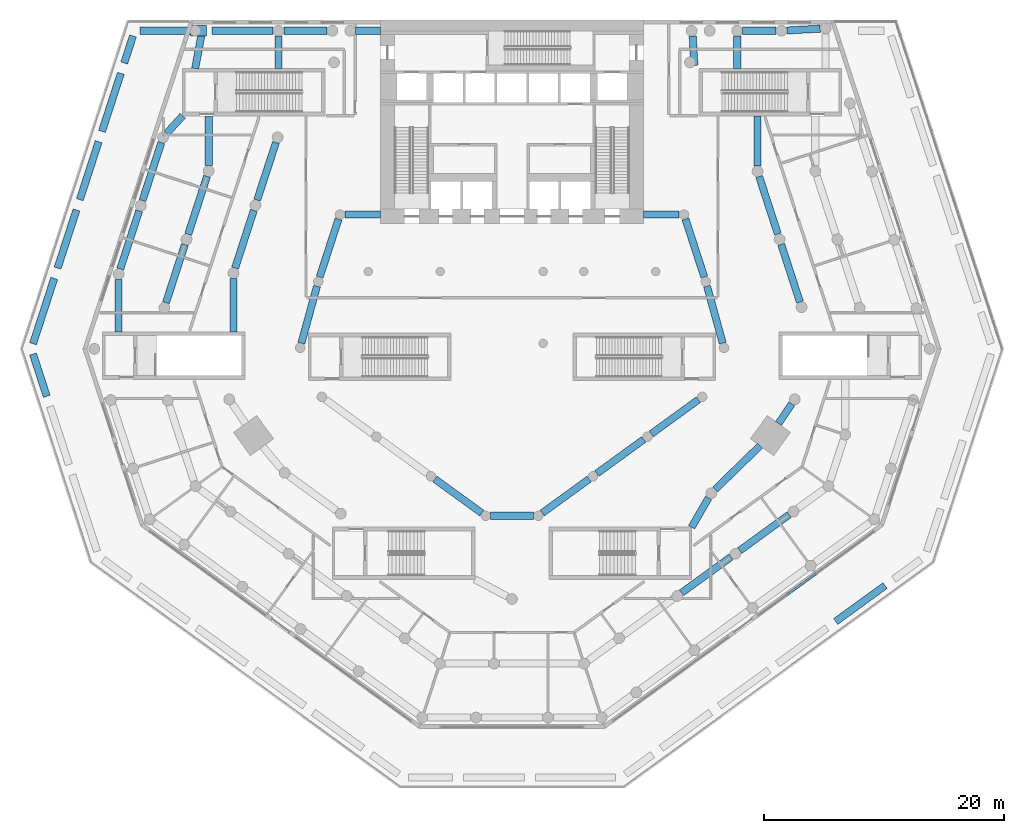
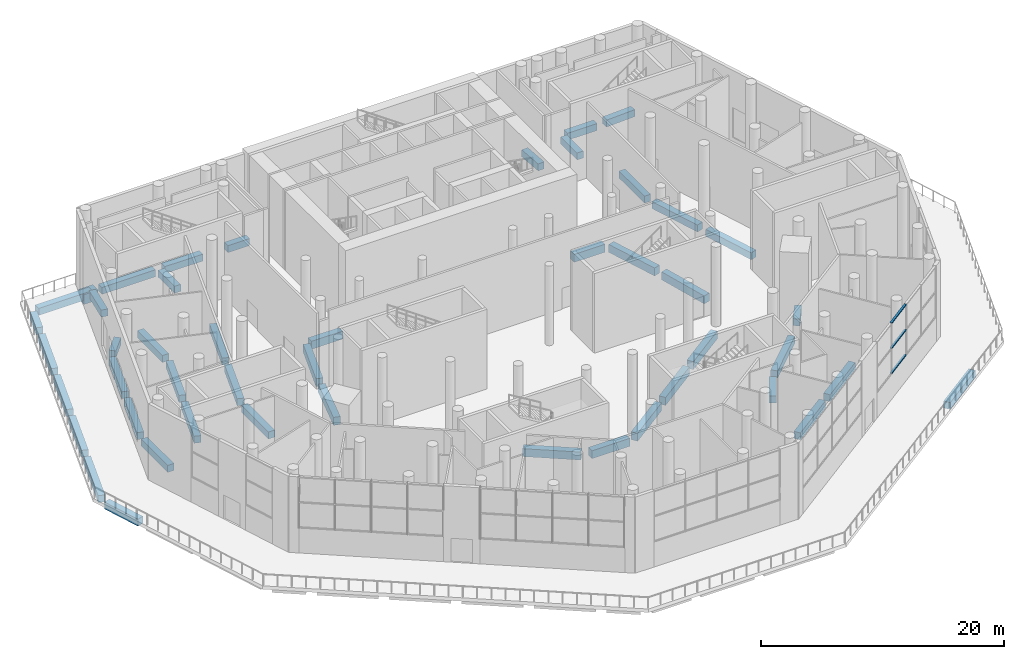
# One storey, part 7 of 23: 47 beams, 3 members, 1 element without a shape of its own.
"""IFC4 building model written with IfcOpenShell, lengths in metres."""

from ifc_helpers import new_model, si_unit, direction, frame, origin, origin_2d, place, context, subcontext, project, spatial, rectangle, extrude, material, material_profile, profile_set, type_object, element, aggregate, save


model = new_model("IFC4")

# Units and contexts
model_context = context("Model", 3, precision=1e-05, world=origin(), true_north=direction((0.0, 1.0)))
body_context = subcontext(model_context, "Body", "Model", "MODEL_VIEW")
ifc_project = project(units=[si_unit("LENGTHUNIT", "METRE"), si_unit("AREAUNIT", "SQUARE_METRE"), si_unit("VOLUMEUNIT", "CUBIC_METRE"), si_unit("PLANEANGLEUNIT", "RADIAN"), si_unit("MASSUNIT", "GRAM", prefix="KILO")], contexts=[model_context])

# Site, building, storey
site_placement = place(None, origin())
site = spatial("IfcSite", under=ifc_project, at=site_placement, CompositionType="ELEMENT")
building_placement = place(site_placement, origin())
building = spatial("IfcBuilding", under=site, at=building_placement, Name="White Candle Pilgrim Tower", CompositionType="ELEMENT")
storey_placement = place(building_placement, frame((0.0, 0.0, 15.0)))
storey = spatial("IfcBuildingStorey", under=building, at=storey_placement, Name="L02", CompositionType="ELEMENT", Elevation=15.0)

# Curtain wall, members
ifc_material_1 = material(Name="Aluminium and glass", Category="aluminium")
curtain_wall_type = type_object("IfcCurtainWallType", Name="Curtain wall CW2 prayer hall clerestory", PredefinedType="NOTDEFINED", material=ifc_material_1)
curtain_wall_placement = place(storey_placement, origin())
curtain_wall = element("IfcCurtainWall", 1, at=curtain_wall_placement, inside=storey, type_object=curtain_wall_type, Name="Curtain wall CW2 L02 SE", PredefinedType="NOTDEFINED")
ifc_material_2 = material(Name="Aluminium", Category="aluminium")
ifc_material_profile_1 = material_profile(ifc_material_2, rectangle(XDim=0.199951171875, YDim=0.10009765625, at=origin_2d()), Name="CW2 transom 100x200")
ifc_profile_set_1 = profile_set([ifc_material_profile_1], Name="Aluminium")
member_type = type_object("IfcMemberType", Name="CW2 transom 100x200", PredefinedType="USERDEFINED", material=ifc_profile_set_1)
member_1_placement = place(storey_placement, frame((92.9990234375, 40.04296875, 2.550048828125), z_axis=(0.808975796474, 0.587841952159, 0.0), x_axis=(-0.587841952159, 0.808975796474, 0.0)))
member_1 = element("IfcMember", 2, at=member_1_placement, type_object=member_type, Name="CW2 transom 2.1", ObjectType="TRANSOM", PredefinedType="USERDEFINED", context=body_context, shape_type="SweptSolid", body=[
    extrude(rectangle(XDim=0.199951171875, YDim=0.10009765625, at=origin_2d()), origin(), (0.0, 0.0, 1.0), 2.949951171875),
])
member_2_placement = place(storey_placement, frame((92.9990234375, 40.04296875, 5.074951171875), z_axis=(0.808975796474, 0.587841952159, 0.0), x_axis=(-0.587841952159, 0.808975796474, 0.0)))
member_2 = element("IfcMember", 3, at=member_2_placement, type_object=member_type, Name="CW2 transom 2.2", ObjectType="TRANSOM", PredefinedType="USERDEFINED", context=body_context, shape_type="SweptSolid", body=[
    extrude(rectangle(XDim=0.199951171875, YDim=0.10009765625, at=origin_2d()), origin(), (0.0, 0.0, 1.0), 2.949951171875),
])
member_3_placement = place(storey_placement, frame((92.9990234375, 40.04296875, 7.60009765625), z_axis=(0.808975796474, 0.587841952159, 0.0), x_axis=(-0.587841952159, 0.808975796474, 0.0)))
member_3 = element("IfcMember", 4, at=member_3_placement, type_object=member_type, Name="CW2 transom 2.3", ObjectType="TRANSOM", PredefinedType="USERDEFINED", context=body_context, shape_type="SweptSolid", body=[
    extrude(rectangle(XDim=0.199951171875, YDim=0.10009765625, at=origin_2d()), origin(), (0.0, 0.0, 1.0), 2.949951171875),
])
aggregate(curtain_wall, [member_1, member_2, member_3])

# Beams
ifc_material_3 = material(Name="Concrete C50/60", Category="concrete")
ifc_material_profile_2 = material_profile(ifc_material_3, rectangle(XDim=0.60009765625, YDim=0.800048828125, at=origin_2d()), Name="RC-BM 600x800")
ifc_profile_set_2 = profile_set([ifc_material_profile_2], Name="Concrete C50/60")
beam_type_1 = type_object("IfcBeamType", Name="Ring beam RC-BM 600x800 C50/60", PredefinedType="BEAM", material=ifc_profile_set_2)
beam_1_placement = place(storey_placement, frame((63.56396484375, 49.66552734375, -0.75), z_axis=(0.810124276712, -0.586258182273, 0.0), x_axis=(0.586258182273, 0.810124276712, 0.0)))
element("IfcBeam", 5, at=beam_1_placement, inside=storey, type_object=beam_type_1, Name="L02 ring beam R03", PredefinedType="BEAM", context=body_context, shape_type="SweptSolid", body=[
    extrude(rectangle(XDim=0.60009765625, YDim=0.800048828125, at=origin_2d()), origin(), (0.0, 0.0, 1.0), 4.8291015625),
])
beam_2_placement = place(storey_placement, frame((68.199951171875, 46.60009765625, -0.75), z_axis=(1.0, 0.0, 0.0), x_axis=(0.0, 1.0, 0.0)))
element("IfcBeam", 6, at=beam_2_placement, inside=storey, type_object=beam_type_1, Name="L02 ring beam R04", PredefinedType="BEAM", context=body_context, shape_type="SweptSolid", body=[
    extrude(rectangle(XDim=0.60009765625, YDim=0.800048828125, at=origin_2d()), origin(), (0.0, 0.0, 1.0), 3.60009765625),
])
beam_3_placement = place(storey_placement, frame((72.52392578125, 46.83447265625, -0.75), z_axis=(0.810124276712, 0.586258182273, 0.0), x_axis=(-0.586258182273, 0.810124276712, 0.0)))
element("IfcBeam", 7, at=beam_3_placement, inside=storey, type_object=beam_type_1, Name="L02 ring beam R05", PredefinedType="BEAM", context=body_context, shape_type="SweptSolid", body=[
    extrude(rectangle(XDim=0.60009765625, YDim=0.800048828125, at=origin_2d()), origin(), (0.0, 0.0, 1.0), 4.8291015625),
])
beam_4_placement = place(storey_placement, frame((77.08349609375, 50.135009765625, -0.75), z_axis=(0.809305595912, 0.587387821141, 0.0), x_axis=(-0.587387821141, 0.809305595912, 0.0)))
element("IfcBeam", 8, at=beam_4_placement, inside=storey, type_object=beam_type_1, Name="L02 ring beam R06", PredefinedType="BEAM", context=body_context, shape_type="SweptSolid", body=[
    extrude(rectangle(XDim=0.60009765625, YDim=0.800048828125, at=origin_2d()), origin(), (0.0, 0.0, 1.0), 4.835205078125),
])
beam_5_placement = place(storey_placement, frame((81.643310546875, 53.4453125, -0.75), z_axis=(0.808428473545, 0.588594430115, 0.0), x_axis=(-0.588594430115, 0.808428473545, 0.0)))
element("IfcBeam", 9, at=beam_5_placement, inside=storey, type_object=beam_type_1, Name="L02 ring beam R07", PredefinedType="BEAM", context=body_context, shape_type="SweptSolid", body=[
    extrude(rectangle(XDim=0.60009765625, YDim=0.800048828125, at=origin_2d()), origin(), (0.0, 0.0, 1.0), 4.841064453125),
])
beam_6_placement = place(storey_placement, frame((87.593994140625, 61.015625, -0.75), z_axis=(-0.265050703949, 0.964234475808, 0.0), x_axis=(-0.964234475808, -0.265050703949, 0.0)))
element("IfcBeam", 10, at=beam_6_placement, inside=storey, type_object=beam_type_1, Name="L02 ring beam R08", PredefinedType="BEAM", context=body_context, shape_type="SweptSolid", body=[
    extrude(rectangle(XDim=0.60009765625, YDim=0.800048828125, at=origin_2d()), origin(), (0.0, 0.0, 1.0), 4.935302734375),
])
beam_7_placement = place(storey_placement, frame((86.056396484375, 66.540283203125, -0.75), z_axis=(-0.30907956305, 0.951036184225, 0.0), x_axis=(-0.951036184225, -0.30907956305, 0.0)))
element("IfcBeam", 11, at=beam_7_placement, inside=storey, type_object=beam_type_1, Name="L02 ring beam R09", PredefinedType="BEAM", context=body_context, shape_type="SweptSolid", body=[
    extrude(rectangle(XDim=0.60009765625, YDim=0.800048828125, at=origin_2d()), origin(), (0.0, 0.0, 1.0), 5.088623046875),
])
for number, where, z_axis, x_axis, name in (
    (12, (83.9599609375, 71.760009765625, -0.75), (-1.0, 0.0, 0.0), (0.0, -1.0, 0.0), "L02 ring beam R10"),
    (13, (56.0400390625, 71.760009765625, -0.75), (1.0, 0.0, 0.0), (0.0, 1.0, 0.0), "L02 ring beam R11"),
):
    element("IfcBeam", number, at=place(storey_placement, frame(where, z_axis=z_axis, x_axis=x_axis)), inside=storey, type_object=beam_type_1, Name=name, PredefinedType="BEAM", context=body_context, shape_type="SweptSolid", body=[
        extrude(rectangle(XDim=0.60009765625, YDim=0.800048828125, at=origin_2d()), origin(), (0.0, 0.0, 1.0), 2.9599609375),
    ])
beam_8_placement = place(storey_placement, frame((55.516357421875, 71.379638671875, -0.75), z_axis=(-0.30907956305, -0.951036184225, 0.0), x_axis=(0.951036184225, -0.30907956305, 0.0)))
element("IfcBeam", 14, at=beam_8_placement, inside=storey, type_object=beam_type_1, Name="L02 ring beam R12", PredefinedType="BEAM", context=body_context, shape_type="SweptSolid", body=[
    extrude(rectangle(XDim=0.60009765625, YDim=0.800048828125, at=origin_2d()), origin(), (0.0, 0.0, 1.0), 5.088623046875),
])
beam_9_placement = place(storey_placement, frame((53.714599609375, 65.774169921875, -0.75), z_axis=(-0.263418939206, -0.964681534221, 0.0), x_axis=(0.964681534221, -0.263418939206, 0.0)))
element("IfcBeam", 15, at=beam_9_placement, inside=storey, type_object=beam_type_1, Name="L02 ring beam R13", PredefinedType="BEAM", context=body_context, shape_type="SweptSolid", body=[
    extrude(rectangle(XDim=0.60009765625, YDim=0.800048828125, at=origin_2d()), origin(), (0.0, 0.0, 1.0), 4.9326171875),
])
ifc_material_profile_3 = material_profile(ifc_material_3, rectangle(XDim=0.60009765625, YDim=0.699951171875, at=origin_2d()), Name="RC-BM 600x700")
ifc_profile_set_3 = profile_set([ifc_material_profile_3], Name="Concrete C50/60")
beam_type_2 = type_object("IfcBeamType", Name="Spandrel beam RC-BM 600x700 C50/60", PredefinedType="BEAM", material=ifc_profile_set_3)
beam_10_placement = place(storey_placement, frame((86.4150390625, 48.100341796875, -0.699951171875), z_axis=(-0.500073465784, -0.865982984139, 0.0), x_axis=(0.865982984139, -0.500073465784, 0.0)))
element("IfcBeam", 16, at=beam_10_placement, inside=storey, type_object=beam_type_2, Name="L02 spandrel beam T05", PredefinedType="BEAM", context=body_context, shape_type="SweptSolid", body=[
    extrude(rectangle(XDim=0.60009765625, YDim=0.699951171875, at=origin_2d()), origin(), (0.0, 0.0, 1.0), 2.82958984375),
])
beam_11_placement = place(storey_placement, frame((86.96240234375, 48.8037109375, -0.699951171875), z_axis=(0.716431871675, 0.697657059914, 0.0), x_axis=(-0.697657059914, 0.716431871675, 0.0)))
element("IfcBeam", 17, at=beam_11_placement, inside=storey, type_object=beam_type_2, Name="L02 spandrel beam T06", PredefinedType="BEAM", context=body_context, shape_type="SweptSolid", body=[
    extrude(rectangle(XDim=0.60009765625, YDim=0.699951171875, at=origin_2d()), origin(), (0.0, 0.0, 1.0), 5.2275390625),
])
beam_12_placement = place(storey_placement, frame((92.248291015625, 54.297607421875, -0.699951171875), z_axis=(0.556617573138, 0.830768847077, 0.0), x_axis=(-0.830768847077, 0.556617573138, 0.0)))
element("IfcBeam", 18, at=beam_12_placement, inside=storey, type_object=beam_type_2, Name="L02 spandrel beam T07", PredefinedType="BEAM", context=body_context, shape_type="SweptSolid", body=[
    extrude(rectangle(XDim=0.60009765625, YDim=0.699951171875, at=origin_2d()), origin(), (0.0, 0.0, 1.0), 1.99658203125),
])
for number, where, z_axis, x_axis, name in (
    (19, (94.041015625, 64.447998046875, -0.699951171875), (-0.308620298764, 0.951185319058, 0.0), (-0.951185319058, -0.308620298764, 0.0), "L02 spandrel beam T08"),
    (20, (92.201171875, 70.117919921875, -0.699951171875), (-0.308663940381, 0.951171158051, 0.0), (-0.951171158051, -0.308663940381, 0.0), "L02 spandrel beam T09"),
):
    element("IfcBeam", number, at=place(storey_placement, frame(where, z_axis=z_axis, x_axis=x_axis)), inside=storey, type_object=beam_type_2, Name=name, PredefinedType="BEAM", context=body_context, shape_type="SweptSolid", body=[
        extrude(rectangle(XDim=0.60009765625, YDim=0.699951171875, at=origin_2d()), origin(), (0.0, 0.0, 1.0), 5.061279296875),
    ])
beam_13_placement = place(storey_placement, frame((90.5, 75.81005859375, -0.699951171875), z_axis=(0.0, 1.0, 0.0), x_axis=(-1.0, 0.0, 0.0)))
element("IfcBeam", 21, at=beam_13_placement, inside=storey, type_object=beam_type_2, Name="L02 spandrel beam T10", PredefinedType="BEAM", context=body_context, shape_type="SweptSolid", body=[
    extrude(rectangle(XDim=0.60009765625, YDim=0.699951171875, at=origin_2d()), origin(), (0.0, 0.0, 1.0), 4.18994140625),
])
beam_14_placement = place(storey_placement, frame((50.29052734375, 77.772216796875, -0.699951171875), z_axis=(-0.310219521213, -0.950664950789, 0.0), x_axis=(0.950664950789, -0.310219521213, 0.0)))
element("IfcBeam", 22, at=beam_14_placement, inside=storey, type_object=beam_type_2, Name="L02 spandrel beam T11", PredefinedType="BEAM", context=body_context, shape_type="SweptSolid", body=[
    extrude(rectangle(XDim=0.60009765625, YDim=0.699951171875, at=origin_2d()), origin(), (0.0, 0.0, 1.0), 5.064208984375),
])
beam_15_placement = place(storey_placement, frame((48.441162109375, 72.10205078125, -0.699951171875), z_axis=(-0.308663940381, -0.951171158051, 0.0), x_axis=(0.951171158051, -0.308663940381, 0.0)))
element("IfcBeam", 23, at=beam_15_placement, inside=storey, type_object=beam_type_2, Name="L02 spandrel beam T12", PredefinedType="BEAM", context=body_context, shape_type="SweptSolid", body=[
    extrude(rectangle(XDim=0.60009765625, YDim=0.699951171875, at=origin_2d()), origin(), (0.0, 0.0, 1.0), 5.061279296875),
])
beam_16_placement = place(storey_placement, frame((46.739990234375, 66.409912109375, -0.699951171875), z_axis=(0.0, -1.0, 0.0), x_axis=(1.0, 0.0, 0.0)))
element("IfcBeam", 24, at=beam_16_placement, inside=storey, type_object=beam_type_2, Name="L02 spandrel beam T13", PredefinedType="BEAM", context=body_context, shape_type="SweptSolid", body=[
    extrude(rectangle(XDim=0.60009765625, YDim=0.699951171875, at=origin_2d()), origin(), (0.0, 0.0, 1.0), 4.4599609375),
])
beam_17_placement = place(storey_placement, frame((30.0048828125, 60.111083984375, -0.699951171875), z_axis=(0.30913367371, -0.951018596968, 0.0), x_axis=(0.951018596968, 0.30913367371, 0.0)))
element("IfcBeam", 25, at=beam_17_placement, inside=storey, type_object=beam_type_2, Name="L02 spandrel beam A01", PredefinedType="BEAM", context=body_context, shape_type="SweptSolid", body=[
    extrude(rectangle(XDim=0.60009765625, YDim=0.699951171875, at=origin_2d()), origin(), (0.0, 0.0, 1.0), 3.711181640625),
])
beam_18_placement = place(storey_placement, frame((97.02490234375, 37.7763671875, -0.699951171875), z_axis=(0.808978190317, 0.587838657789, 0.0), x_axis=(-0.587838657789, 0.808978190317, 0.0)))
element("IfcBeam", 26, at=beam_18_placement, inside=storey, type_object=beam_type_2, Name="L02 spandrel beam A17", PredefinedType="BEAM", context=body_context, shape_type="SweptSolid", body=[
    extrude(rectangle(XDim=0.60009765625, YDim=0.699951171875, at=origin_2d()), origin(), (0.0, 0.0, 1.0), 5.1005859375),
])
beam_19_placement = place(storey_placement, frame((38.35693359375, 86.672119140625, -0.699951171875), z_axis=(-0.30881036508, -0.951123629408, 0.0), x_axis=(0.951123629408, -0.30881036508, 0.0)))
element("IfcBeam", 27, at=beam_19_placement, inside=storey, type_object=beam_type_2, Name="L02 spandrel beam A27", PredefinedType="BEAM", context=body_context, shape_type="SweptSolid", body=[
    extrude(rectangle(XDim=0.60009765625, YDim=0.699951171875, at=origin_2d()), origin(), (0.0, 0.0, 1.0), 2.3828125),
])
beam_20_placement = place(storey_placement, frame((37.343017578125, 83.55029296875, -0.699951171875), z_axis=(-0.30893888911, -0.951081890688, 0.0), x_axis=(0.951081890688, -0.30893888911, 0.0)))
element("IfcBeam", 28, at=beam_20_placement, inside=storey, type_object=beam_type_2, Name="L02 spandrel beam A28", PredefinedType="BEAM", context=body_context, shape_type="SweptSolid", body=[
    extrude(rectangle(XDim=0.60009765625, YDim=0.699951171875, at=origin_2d()), origin(), (0.0, 0.0, 1.0), 5.10107421875),
])
for number, where, z_axis, x_axis, name in (
    (29, (35.489013671875, 77.84326171875, -0.699951171875), (-0.309009217467, -0.951059043131, 0.0), (0.951059043131, -0.309009217467, 0.0), "L02 spandrel beam A29"),
    (30, (33.635009765625, 72.13720703125, -0.699951171875), (-0.309009217467, -0.951059043131, 0.0), (0.951059043131, -0.309009217467, 0.0), "L02 spandrel beam A30"),
):
    element("IfcBeam", number, at=place(storey_placement, frame(where, z_axis=z_axis, x_axis=x_axis)), inside=storey, type_object=beam_type_2, Name=name, PredefinedType="BEAM", context=body_context, shape_type="SweptSolid", body=[
        extrude(rectangle(XDim=0.60009765625, YDim=0.699951171875, at=origin_2d()), origin(), (0.0, 0.0, 1.0), 5.099853515625),
    ])
beam_21_placement = place(storey_placement, frame((31.781005859375, 66.43115234375, -0.699951171875), z_axis=(-0.309118738716, -0.951023451538, 0.0), x_axis=(0.951023451538, -0.309118738716, 0.0)))
element("IfcBeam", 31, at=beam_21_placement, inside=storey, type_object=beam_type_2, Name="L02 spandrel beam A31", PredefinedType="BEAM", context=body_context, shape_type="SweptSolid", body=[
    extrude(rectangle(XDim=0.60009765625, YDim=0.699951171875, at=origin_2d()), origin(), (0.0, 0.0, 1.0), 5.745849609375),
])
beam_22_placement = place(storey_placement, frame((44.096435546875, 86.90087890625, -0.699951171875), z_axis=(-0.184028302975, -0.982920944789, 0.0), x_axis=(0.982920944789, -0.184028302975, 0.0)))
element("IfcBeam", 32, at=beam_22_placement, inside=storey, type_object=beam_type_2, Name="L02 spandrel beam B23", PredefinedType="BEAM", context=body_context, shape_type="SweptSolid", body=[
    extrude(rectangle(XDim=0.60009765625, YDim=0.699951171875, at=origin_2d()), origin(), (0.0, 0.0, 1.0), 3.002197265625),
])
beam_23_placement = place(storey_placement, frame((41.16455078125, 78.53173828125, -0.699951171875), z_axis=(0.67285645111, 0.739773070745, 0.0), x_axis=(-0.739773070745, 0.67285645111, 0.0)))
element("IfcBeam", 33, at=beam_23_placement, inside=storey, type_object=beam_type_2, Name="L02 spandrel beam B24", PredefinedType="BEAM", context=body_context, shape_type="SweptSolid", body=[
    extrude(rectangle(XDim=0.60009765625, YDim=0.699951171875, at=origin_2d()), origin(), (0.0, 0.0, 1.0), 1.98486328125),
])
beam_24_placement = place(storey_placement, frame((40.722900390625, 77.771240234375, -0.699951171875), z_axis=(-0.309009217467, -0.951059043131, 0.0), x_axis=(0.951059043131, -0.309009217467, 0.0)))
element("IfcBeam", 34, at=beam_24_placement, inside=storey, type_object=beam_type_2, Name="L02 spandrel beam B25", PredefinedType="BEAM", context=body_context, shape_type="SweptSolid", body=[
    extrude(rectangle(XDim=0.60009765625, YDim=0.699951171875, at=origin_2d()), origin(), (0.0, 0.0, 1.0), 5.099853515625),
])
beam_25_placement = place(storey_placement, frame((38.868896484375, 72.065185546875, -0.699951171875), z_axis=(-0.30918240299, -0.951002755875, 0.0), x_axis=(0.951002755875, -0.30918240299, 0.0)))
element("IfcBeam", 35, at=beam_25_placement, inside=storey, type_object=beam_type_2, Name="L02 spandrel beam B26", PredefinedType="BEAM", context=body_context, shape_type="SweptSolid", body=[
    extrude(rectangle(XDim=0.60009765625, YDim=0.699951171875, at=origin_2d()), origin(), (0.0, 0.0, 1.0), 5.100341796875),
])
beam_26_placement = place(storey_placement, frame((37.153076171875, 66.3369140625, -0.699951171875), z_axis=(0.0, -1.0, 0.0), x_axis=(1.0, 0.0, 0.0)))
element("IfcBeam", 36, at=beam_26_placement, inside=storey, type_object=beam_type_2, Name="L02 spandrel beam B27", PredefinedType="BEAM", context=body_context, shape_type="SweptSolid", body=[
    extrude(rectangle(XDim=0.60009765625, YDim=0.699951171875, at=origin_2d()), origin(), (0.0, 0.0, 1.0), 4.386962890625),
])
beam_27_placement = place(storey_placement, frame((84.159912109375, 40.17236328125, -0.699951171875), z_axis=(0.809069240735, 0.587713334625, 0.0), x_axis=(-0.587713334625, 0.809069240735, 0.0)))
element("IfcBeam", 37, at=beam_27_placement, inside=storey, type_object=beam_type_2, Name="L02 spandrel beam C11", PredefinedType="BEAM", context=body_context, shape_type="SweptSolid", body=[
    extrude(rectangle(XDim=0.60009765625, YDim=0.699951171875, at=origin_2d()), origin(), (0.0, 0.0, 1.0), 5.099853515625),
])
beam_28_placement = place(storey_placement, frame((89.013916015625, 43.698486328125, -0.699951171875), z_axis=(0.80900095282, 0.587807330965, 0.0), x_axis=(-0.587807330965, 0.80900095282, 0.0)))
element("IfcBeam", 38, at=beam_28_placement, inside=storey, type_object=beam_type_2, Name="L02 spandrel beam C12", PredefinedType="BEAM", context=body_context, shape_type="SweptSolid", body=[
    extrude(rectangle(XDim=0.60009765625, YDim=0.699951171875, at=origin_2d()), origin(), (0.0, 0.0, 1.0), 5.100341796875),
])
for number, where, z_axis, x_axis, name in (
    (39, (88.800048828125, 86.64990234375, -0.699951171875), (0.0, -1.0, 0.0), (1.0, 0.0, 0.0), "L02 spandrel beam C19"),
    (40, (50.5, 86.64990234375, -0.699951171875), (0.0, -1.0, 0.0), (1.0, 0.0, 0.0), "L02 spandrel beam C20"),
):
    element("IfcBeam", number, at=place(storey_placement, frame(where, z_axis=z_axis, x_axis=x_axis)), inside=storey, type_object=beam_type_2, Name=name, PredefinedType="BEAM", context=body_context, shape_type="SweptSolid", body=[
        extrude(rectangle(XDim=0.60009765625, YDim=0.699951171875, at=origin_2d()), origin(), (0.0, 0.0, 1.0), 2.699951171875),
    ])
beam_29_placement = place(storey_placement, frame((44.677978515625, 75.83203125, -0.699951171875), z_axis=(0.0, 1.0, 0.0), x_axis=(-1.0, 0.0, 0.0)))
element("IfcBeam", 41, at=beam_29_placement, inside=storey, type_object=beam_type_2, Name="L02 spandrel beam C21", PredefinedType="BEAM", context=body_context, shape_type="SweptSolid", body=[
    extrude(rectangle(XDim=0.60009765625, YDim=0.699951171875, at=origin_2d()), origin(), (0.0, 0.0, 1.0), 4.16796875),
])
beam_30_placement = place(storey_placement, frame((44.5390625, 74.9541015625, -0.699951171875), z_axis=(-0.30905251673, -0.951044973649, 0.0), x_axis=(0.951044973649, -0.30905251673, 0.0)))
element("IfcBeam", 42, at=beam_30_placement, inside=storey, type_object=beam_type_2, Name="L02 spandrel beam C22", PredefinedType="BEAM", context=body_context, shape_type="SweptSolid", body=[
    extrude(rectangle(XDim=0.60009765625, YDim=0.699951171875, at=origin_2d()), origin(), (0.0, 0.0, 1.0), 5.10009765625),
])
beam_31_placement = place(storey_placement, frame((42.68505859375, 69.248291015625, -0.699951171875), z_axis=(-0.308982180599, -0.951067827272, 0.0), x_axis=(0.951067827272, -0.308982180599, 0.0)))
element("IfcBeam", 43, at=beam_31_placement, inside=storey, type_object=beam_type_2, Name="L02 spandrel beam C23", PredefinedType="BEAM", context=body_context, shape_type="SweptSolid", body=[
    extrude(rectangle(XDim=0.60009765625, YDim=0.699951171875, at=origin_2d()), origin(), (0.0, 0.0, 1.0), 5.10107421875),
])
beam_32_placement = place(storey_placement, frame((38.946044921875, 87.10009765625, -0.699951171875), z_axis=(1.0, 0.0, 0.0), x_axis=(0.0, 1.0, 0.0)))
element("IfcBeam", 44, at=beam_32_placement, inside=storey, type_object=beam_type_2, Name="L02 spandrel beam N01", PredefinedType="BEAM", context=body_context, shape_type="SweptSolid", body=[
    extrude(rectangle(XDim=0.60009765625, YDim=0.699951171875, at=origin_2d()), origin(), (0.0, 0.0, 1.0), 5.10400390625),
])
beam_33_placement = place(storey_placement, frame((44.949951171875, 87.10009765625, -0.699951171875), z_axis=(1.0, 0.0, 0.0), x_axis=(0.0, 1.0, 0.0)))
element("IfcBeam", 45, at=beam_33_placement, inside=storey, type_object=beam_type_2, Name="L02 spandrel beam N02", PredefinedType="BEAM", context=body_context, shape_type="SweptSolid", body=[
    extrude(rectangle(XDim=0.60009765625, YDim=0.699951171875, at=origin_2d()), origin(), (0.0, 0.0, 1.0), 5.10009765625),
])
beam_34_placement = place(storey_placement, frame((50.949951171875, 87.10009765625, -0.699951171875), z_axis=(1.0, 0.0, 0.0), x_axis=(0.0, 1.0, 0.0)))
element("IfcBeam", 46, at=beam_34_placement, inside=storey, type_object=beam_type_2, Name="L02 spandrel beam N03", PredefinedType="BEAM", context=body_context, shape_type="SweptSolid", body=[
    extrude(rectangle(XDim=0.60009765625, YDim=0.699951171875, at=origin_2d()), origin(), (0.0, 0.0, 1.0), 3.60009765625),
])
beam_35_placement = place(storey_placement, frame((56.949951171875, 87.10009765625, -0.699951171875), z_axis=(1.0, 0.0, 0.0), x_axis=(0.0, 1.0, 0.0)))
element("IfcBeam", 47, at=beam_35_placement, inside=storey, type_object=beam_type_2, Name="L02 spandrel beam N04", PredefinedType="BEAM", context=body_context, shape_type="SweptSolid", body=[
    extrude(rectangle(XDim=0.60009765625, YDim=0.699951171875, at=origin_2d()), origin(), (0.0, 0.0, 1.0), 2.050048828125),
])
beam_36_placement = place(storey_placement, frame((85.084228515625, 86.658203125, -0.699951171875), z_axis=(0.061114110735, -0.998130785754, 0.0), x_axis=(0.998130785754, 0.061114110735, 0.0)))
element("IfcBeam", 48, at=beam_36_placement, inside=storey, type_object=beam_type_2, Name="L02 spandrel beam N05", PredefinedType="BEAM", context=body_context, shape_type="SweptSolid", body=[
    extrude(rectangle(XDim=0.60009765625, YDim=0.699951171875, at=origin_2d()), origin(), (0.0, 0.0, 1.0), 2.452880859375),
])
beam_37_placement = place(storey_placement, frame((89.25, 87.10009765625, -0.699951171875), z_axis=(1.0, 0.0, 0.0), x_axis=(0.0, 1.0, 0.0)))
element("IfcBeam", 49, at=beam_37_placement, inside=storey, type_object=beam_type_2, Name="L02 spandrel beam N06", PredefinedType="BEAM", context=body_context, shape_type="SweptSolid", body=[
    extrude(rectangle(XDim=0.60009765625, YDim=0.699951171875, at=origin_2d()), origin(), (0.0, 0.0, 1.0), 2.800048828125),
])
beam_38_placement = place(storey_placement, frame((92.94921875, 87.12451171875, -0.699951171875), z_axis=(0.998528329196, 0.05423260821, 0.0), x_axis=(-0.05423260821, 0.998528329196, 0.0)))
element("IfcBeam", 50, at=beam_38_placement, inside=storey, type_object=beam_type_2, Name="L02 spandrel beam N07", PredefinedType="BEAM", context=body_context, shape_type="SweptSolid", body=[
    extrude(rectangle(XDim=0.60009765625, YDim=0.699951171875, at=origin_2d()), origin(), (0.0, 0.0, 1.0), 2.78662109375),
])
ifc_material_profile_4 = material_profile(ifc_material_3, rectangle(XDim=0.89990234375, YDim=1.0, at=origin_2d()), Name="RC-BM 900x1000")
ifc_profile_set_4 = profile_set([ifc_material_profile_4], Name="Concrete C50/60")
beam_type_3 = type_object("IfcBeamType", Name="Transfer girder RC-BM 900x1000 C50/60", PredefinedType="BEAM", material=ifc_profile_set_4)
beam_39_placement = place(storey_placement, frame((44.5, 87.10009765625, -0.85009765625), z_axis=(-1.0, 0.0, 0.0), x_axis=(0.0, -1.0, 0.0)))
element("IfcBeam", 51, at=beam_39_placement, inside=storey, type_object=beam_type_3, Name="L02 transfer girder B31", PredefinedType="BEAM", context=body_context, shape_type="SweptSolid", body=[
    extrude(rectangle(XDim=0.89990234375, YDim=1.0, at=origin_2d()), origin(), (0.0, 0.0, 1.0), 1.35595703125),
])

save(model, "model.ifc")
